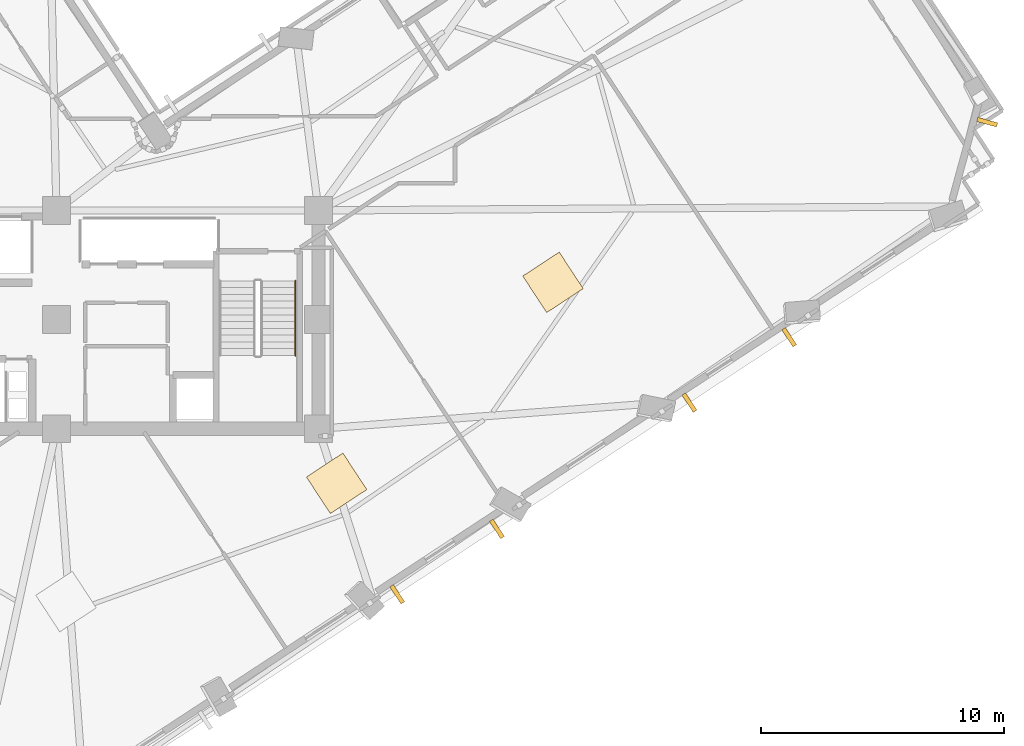
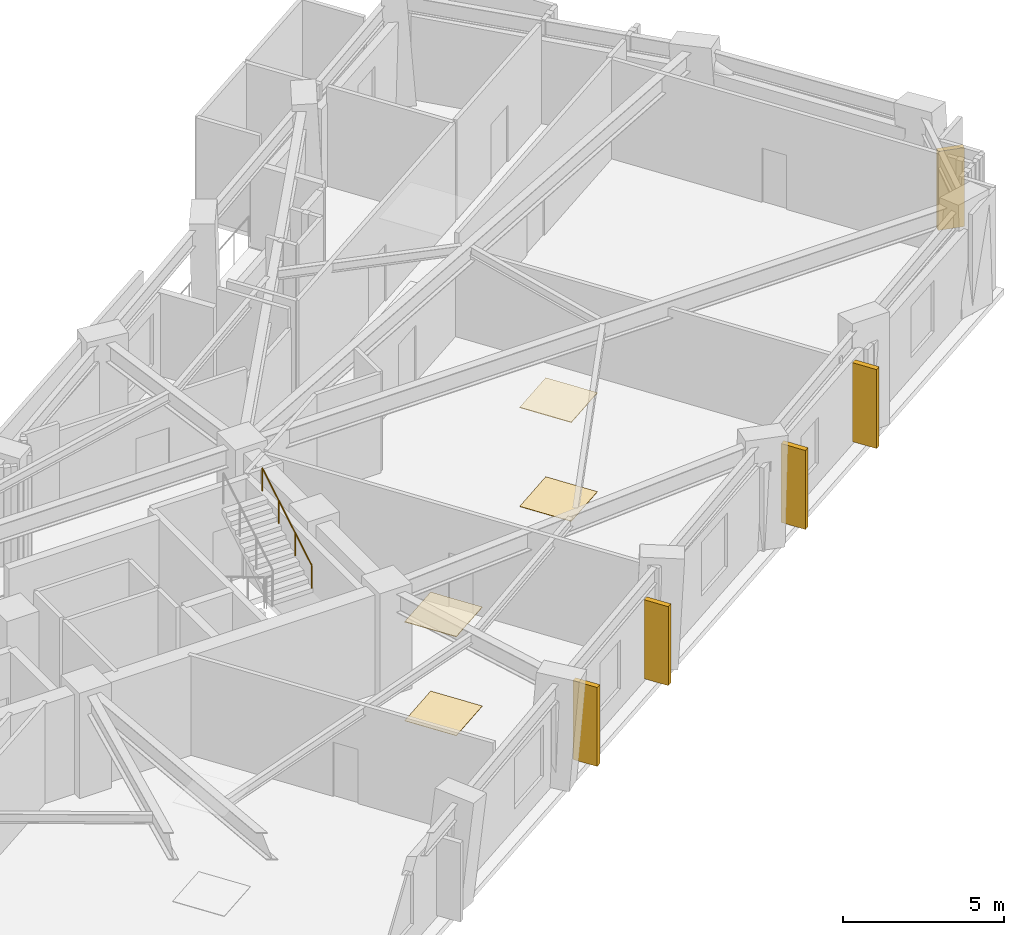
# One storey, part 12 of 14: 5 shading devices, 4 coverings, 1 railing.
"""IFC4 building model written with IfcOpenShell, lengths in metres."""

from ifc_helpers import new_model, si_unit, direction, frame, origin, origin_2d, place, context, subcontext, project, spatial, rectangle, circle, extrude, material, layer, layer_set, type_object, element, save


model = new_model("IFC4")

# Units and contexts
model_context = context("Model", 3, precision=1e-05, world=origin(), true_north=direction((0.0, 1.0)))
body_context = subcontext(model_context, "Body", "Model", "MODEL_VIEW")
ifc_project = project(units=[si_unit("LENGTHUNIT", "METRE"), si_unit("AREAUNIT", "SQUARE_METRE"), si_unit("VOLUMEUNIT", "CUBIC_METRE"), si_unit("PLANEANGLEUNIT", "RADIAN"), si_unit("MASSUNIT", "GRAM", prefix="KILO")], contexts=[model_context])

# Site, building, storey
site_placement = place(None, origin())
site = spatial("IfcSite", under=ifc_project, at=site_placement, CompositionType="ELEMENT")
building_placement = place(site_placement, origin())
building = spatial("IfcBuilding", under=site, at=building_placement, Name="Gaonmaruhae Medical Tower", CompositionType="ELEMENT")
storey_placement = place(building_placement, frame((0.0, 0.0, 165.800048828125)))
storey = spatial("IfcBuildingStorey", under=building, at=storey_placement, Name="L39", CompositionType="ELEMENT", Elevation=165.800048828125)

# Coverings
ifc_material_1 = material(Name="Acoustic mineral ceiling tile", Category="finish")
ifc_layer_1 = layer(ifc_material_1, 0.02490234375)
ifc_layer_set_1 = layer_set([ifc_layer_1], Name="Acoustic mineral ceiling tile")
covering_type_1 = type_object("IfcCoveringType", Name="CLG-01 Antimicrobial Acoustic Mineral Ceiling", PredefinedType="CEILING", material=ifc_layer_set_1)
for number, where, z_axis, x_axis, name in (
    (1, (36.347412109375, 5.553955078125, 3.7548828125), (0.0, 0.0, 1.0), (0.836286155848, 0.54829322952, 0.0), "L39 Clinical Room Acoustic Ceiling 3"),
    (2, (45.26611328125, 13.836669921875, 3.7548828125), (0.0, 0.0, 1.0), (0.836286155848, 0.54829322952, 0.0), "L39 Clinical Room Acoustic Ceiling 4"),
):
    element("IfcCovering", number, at=place(storey_placement, frame(where, z_axis=z_axis, x_axis=x_axis)), inside=storey, type_object=covering_type_1, Name=name, PredefinedType="CEILING", context=body_context, shape_type="SweptSolid", body=[
        extrude(rectangle(XDim=1.800048828125, YDim=1.800048828125, at=origin_2d()), origin(), (0.0, 0.0, 1.0), 0.02490234375),
    ])
ifc_material_2 = material(Name="Seamless clinical vinyl flooring", Category="finish")
ifc_layer_2 = layer(ifc_material_2, 0.014892578125)
ifc_layer_set_2 = layer_set([ifc_layer_2], Name="Seamless clinical vinyl flooring")
covering_type_2 = type_object("IfcCoveringType", Name="FLR-01 Seamless Clinical Antistatic Vinyl Flooring", PredefinedType="FLOORING", material=ifc_layer_set_2)
for number, where, z_axis, x_axis, name in (
    (3, (36.347412109375, 5.553955078125, 0.0), (0.0, 0.0, 1.0), (0.836286155848, 0.54829322952, 0.0), "L39 Clinical Room Vinyl Flooring 3"),
    (4, (45.26611328125, 13.836669921875, 0.0), (0.0, 0.0, 1.0), (0.836286155848, 0.54829322952, 0.0), "L39 Clinical Room Vinyl Flooring 4"),
):
    element("IfcCovering", number, at=place(storey_placement, frame(where, z_axis=z_axis, x_axis=x_axis)), inside=storey, type_object=covering_type_2, Name=name, PredefinedType="FLOORING", context=body_context, shape_type="SweptSolid", body=[
        extrude(rectangle(XDim=1.800048828125, YDim=1.800048828125, at=origin_2d()), origin(), (0.0, 0.0, 1.0), 0.014892578125),
    ])

# Railing
ifc_material_3 = material(Name="Stainless steel 304 handrail", Category="steel")
railing_type = type_object("IfcRailingType", Name="HR-092 Continuous Stainless Steel Stair Handrail", PredefinedType="HANDRAIL", material=ifc_material_3)
railing_placement = place(storey_placement, frame((34.64990234375, 10.820068359375, 2.16650390625)))
element("IfcRailing", 5, at=railing_placement, inside=storey, type_object=railing_type, Name="L39 ST-02 stair handrail 2", PredefinedType="HANDRAIL", context=body_context, shape_type="SweptSolid", body=[
    extrude(circle(Radius=0.02392578125, at=origin_2d()), frame((0.0, 0.0, 0.8759765625), z_axis=(0.0, 0.859260807169, 0.511537745687), x_axis=(-1.0, 0.0, 0.0)), (0.0, 0.0, 1.0), 3.584228515625),
    extrude(circle(Radius=0.02099609375, at=origin_2d()), origin(), (0.0, 0.0, 1.0), 0.851806640625),
    extrude(circle(Radius=0.02099609375, at=origin_2d()), frame((0.0, 1.026611328125, 0.611083984375)), (0.0, 0.0, 1.0), 0.851806640625),
    extrude(circle(Radius=0.02099609375, at=origin_2d()), frame((0.0, 2.05322265625, 1.222412109375)), (0.0, 0.0, 1.0), 0.851806640625),
    extrude(circle(Radius=0.02099609375, at=origin_2d()), frame((0.0, 3.079833984375, 1.83349609375)), (0.0, 0.0, 1.0), 0.851806640625),
])

# Shading devices
ifc_material_4 = material(Name="Pigmented coral precast concrete C45/55", Category="concrete")
shading_device_type = type_object("IfcShadingDeviceType", Name="SD-FIN1 Tower Vertical Coral Precast Shading Fin", PredefinedType="USERDEFINED", material=ifc_material_4)
for number, where, z_axis, x_axis, name in (
    (6, (42.952880859375, 3.674560546875, 0.08251953125), (0.0, 0.0, 1.0), (-0.836286155848, -0.54829322952, 0.0), "L39 Vertical Coral Precast Shading Fin S03"),
    (7, (38.84326171875, 0.980224609375, 0.08251953125), (0.0, 0.0, 1.0), (-0.836286155848, -0.54829322952, 0.0), "L39 Vertical Coral Precast Shading Fin S03B"),
    (8, (55.00244140625, 11.57470703125, 0.08251953125), (0.0, 0.0, 1.0), (-0.836286155848, -0.54829322952, 0.0), "L39 Vertical Coral Precast Shading Fin S05"),
    (9, (50.889404296875, 8.8779296875, 0.08251953125), (0.0, 0.0, 1.0), (-0.836286155848, -0.54829322952, 0.0), "L39 Vertical Coral Precast Shading Fin S05B"),
    (10, (63.164306640625, 20.439453125, 0.08251953125), (0.0, 0.0, 1.0), (-0.26390671921, -0.964548206963, 0.0), "L39 Vertical Coral Precast Shading Fin S07"),
):
    element("IfcShadingDevice", number, at=place(storey_placement, frame(where, z_axis=z_axis, x_axis=x_axis)), inside=storey, type_object=shading_device_type, Name=name, ObjectType="FIN", PredefinedType="USERDEFINED", context=body_context, shape_type="SweptSolid", body=[
        extrude(rectangle(XDim=0.179931640625, YDim=0.85009765625, at=origin_2d()), origin(), (0.0, 0.0, 1.0), 3.0),
    ])

save(model, "model.ifc")
